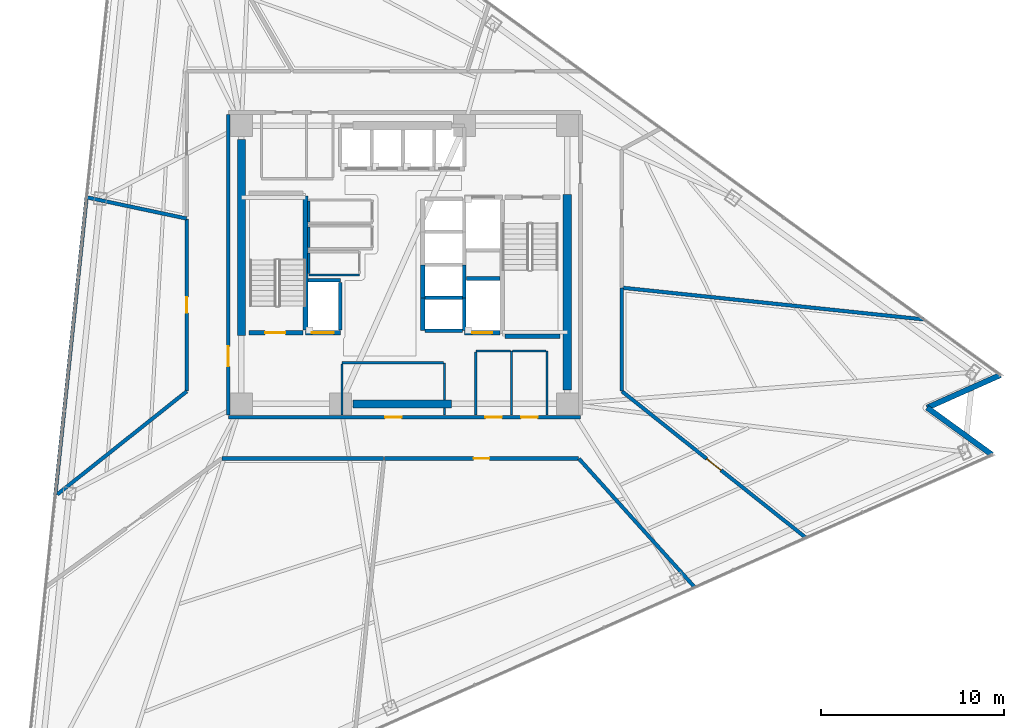
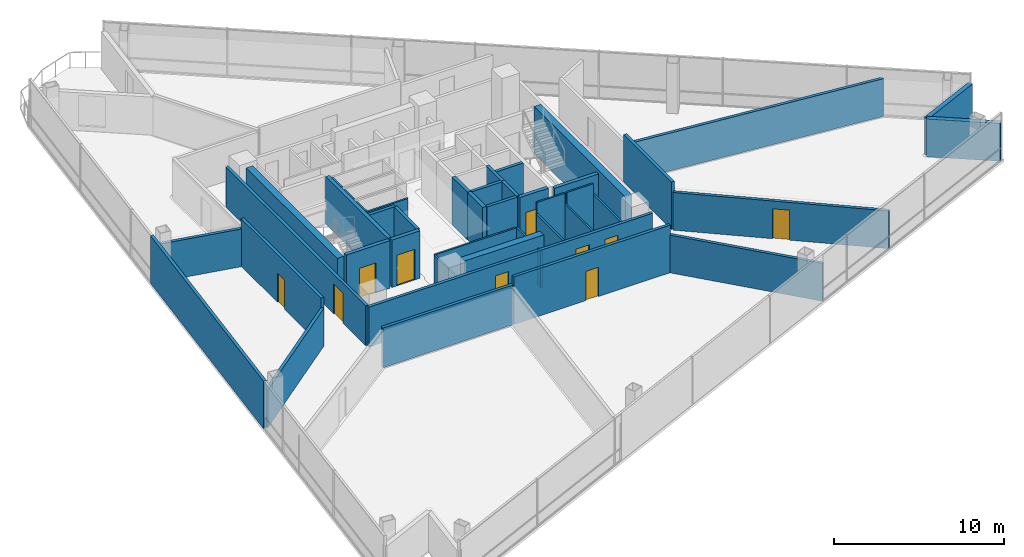
# One storey, part 11 of 19: 44 walls, 10 doors, 10 openings.
"""IFC4 building model written with IfcOpenShell, lengths in metres."""

from ifc_helpers import new_model, si_unit, direction, frame, frame_2d, origin, place, context, subcontext, project, spatial, rectangle, extrude, material, layer, layer_set, type_object, element, fill, save


model = new_model("IFC4")

# Units and contexts
model_context = context("Model", 3, precision=1e-05, world=origin(), true_north=direction((0.0, 1.0)))
body_context = subcontext(model_context, "Body", "Model", "MODEL_VIEW")
ifc_project = project(units=[si_unit("LENGTHUNIT", "METRE"), si_unit("AREAUNIT", "SQUARE_METRE"), si_unit("VOLUMEUNIT", "CUBIC_METRE"), si_unit("PLANEANGLEUNIT", "RADIAN"), si_unit("MASSUNIT", "GRAM", prefix="KILO")], contexts=[model_context])

# Site, building, storey
site_placement = place(None, origin())
site = spatial("IfcSite", under=ifc_project, at=site_placement, CompositionType="ELEMENT")
building_placement = place(site_placement, origin())
building = spatial("IfcBuilding", under=site, at=building_placement, Name="Tharavind Bronze Gate", CompositionType="ELEMENT")
storey_placement = place(building_placement, frame((0.0, 0.0, 116.050048828125)))
storey = spatial("IfcBuildingStorey", under=building, at=storey_placement, Name="L29", CompositionType="ELEMENT", Elevation=116.050048828125)

# Walls
ifc_material_1 = material(Name="Concrete C40/50", Category="concrete")
ifc_layer_1 = layer(ifc_material_1, 0.300048828125)
ifc_layer_set_1 = layer_set([ifc_layer_1], Name="Concrete C40/50")
wall_type_1 = type_object("IfcWallType", Name="EXTERIOR SPANDREL WALL 300", PredefinedType="STANDARD", material=ifc_layer_set_1)
for number, where, z_axis, x_axis, name in (
    (1, (32.099853515625, -10.3759765625, 0.0), (0.0, 0.0, 1.0), (-0.809018008275, 0.587783856777, 0.0), "L29 notch cheek wall 3A"),
    (2, (28.556396484375, -7.801513671875, 0.0), (0.0, 0.0, 1.0), (0.913542411385, 0.406743485013, 0.0), "L29 notch cheek wall 3B"),
):
    element("IfcWall", number, at=place(storey_placement, frame(where, z_axis=z_axis, x_axis=x_axis)), inside=storey, type_object=wall_type_1, Name=name, PredefinedType="STANDARD", context=body_context, shape_type="SweptSolid", body=[
        extrude(rectangle(XDim=4.3798828125, YDim=0.300048828125, at=frame_2d((2.18994140625, 0.0))), origin(), (0.0, 0.0, 1.0), 2.704833984375),
    ])

# Wall, openings, doors
ifc_material_2 = material(Name="Aerated Concrete Block", Category="concrete")
ifc_layer_2 = layer(ifc_material_2, 0.199951171875)
ifc_layer_set_2 = layer_set([ifc_layer_2], Name="Aerated Concrete Block")
wall_type_2 = type_object("IfcWallType", Name="FIRE RATED PARTITION 200", PredefinedType="PARTITIONING", material=ifc_layer_set_2)
wall_1_placement = place(storey_placement, frame((-9.6201171875, -8.320068359375, 0.0), z_axis=(0.0, 0.0, 1.0), x_axis=(1.0, 0.0, 0.0)))
wall_1 = element("IfcWall", 3, at=wall_1_placement, inside=storey, type_object=wall_type_2, Name="L29 south core corridor wall", PredefinedType="PARTITIONING", context=body_context, shape_type="SweptSolid", body=[
    extrude(rectangle(XDim=19.240234375, YDim=0.199951171875, at=frame_2d((9.6201171875, 0.0))), origin(), (0.0, 0.0, 1.0), 2.85498046875),
])
opening_1_placement = place(wall_1_placement, frame((8.570068359375, 0.0, 0.0)))
opening_1 = element("IfcOpeningElement", 4, at=opening_1_placement, cuts=wall_1, Name="Opening ID07", PredefinedType="OPENING", context=body_context, shape_type="SweptSolid", body=[
    extrude(rectangle(XDim=0.89990234375, YDim=2.10009765625, at=frame_2d((0.449951171875, 1.050048828125))), frame((0.0, 0.11009765625, 0.0), z_axis=(0.0, -1.0, 0.0), x_axis=(1.0, 0.0, 0.0)), (0.0, 0.0, 1.0), 0.219951171875),
])
opening_2_placement = place(wall_1_placement, frame((14.044921875, 0.0, 0.0)))
opening_2 = element("IfcOpeningElement", 5, at=opening_2_placement, cuts=wall_1, Name="Opening ID07", PredefinedType="OPENING", context=body_context, shape_type="SweptSolid", body=[
    extrude(rectangle(XDim=0.89990234375, YDim=2.10009765625, at=frame_2d((0.449951171875, 1.050048828125))), frame((0.0, 0.11009765625, 0.0), z_axis=(0.0, -1.0, 0.0), x_axis=(1.0, 0.0, 0.0)), (0.0, 0.0, 1.0), 0.219951171875),
])
opening_3_placement = place(wall_1_placement, frame((15.9951171875, 0.0, 0.0)))
opening_3 = element("IfcOpeningElement", 6, at=opening_3_placement, cuts=wall_1, Name="Opening ID07", PredefinedType="OPENING", context=body_context, shape_type="SweptSolid", body=[
    extrude(rectangle(XDim=0.89990234375, YDim=2.10009765625, at=frame_2d((0.449951171875, 1.050048828125))), frame((0.0, 0.11009765625, 0.0), z_axis=(0.0, -1.0, 0.0), x_axis=(1.0, 0.0, 0.0)), (0.0, 0.0, 1.0), 0.219951171875),
])
ifc_material_3 = material(Name="Galvanised Fire Steel", Category="steel")
door_type_1 = type_object("IfcDoorType", Name="PLANT AND RISER FIRE DOOR 900X2100", OperationType="SINGLE_SWING_LEFT", PredefinedType="DOOR", material=ifc_material_3)
door_1_placement = place(opening_1_placement, origin())
door_1 = element("IfcDoor", 7, at=door_1_placement, inside=storey, type_object=door_type_1, Name="L29 Core BMS Control Room fire door", OperationType="SINGLE_SWING_LEFT", OverallHeight=2.10009765625, OverallWidth=0.89990234375, PredefinedType="DOOR", context=body_context, shape_type="SweptSolid", body=[
    extrude(rectangle(XDim=0.89990234375, YDim=2.10009765625, at=frame_2d((0.449951171875, 1.050048828125))), frame((0.0, 0.02490234375, 0.0), z_axis=(0.0, -1.0, 0.0), x_axis=(1.0, 0.0, 0.0)), (0.0, 0.0, 1.0), 0.050048828125),
])
fill(opening_1, door_1)
door_2_placement = place(opening_2_placement, origin())
door_2 = element("IfcDoor", 8, at=door_2_placement, inside=storey, type_object=door_type_1, Name="L29 Comms Patch Room fire door", OperationType="SINGLE_SWING_LEFT", OverallHeight=2.10009765625, OverallWidth=0.89990234375, PredefinedType="DOOR", context=body_context, shape_type="SweptSolid", body=[
    extrude(rectangle(XDim=0.89990234375, YDim=2.10009765625, at=frame_2d((0.449951171875, 1.050048828125))), frame((0.0, 0.02490234375, 0.0), z_axis=(0.0, -1.0, 0.0), x_axis=(1.0, 0.0, 0.0)), (0.0, 0.0, 1.0), 0.050048828125),
])
fill(opening_2, door_2)
door_3_placement = place(opening_3_placement, origin())
door_3 = element("IfcDoor", 9, at=door_3_placement, inside=storey, type_object=door_type_1, Name="L29 Housekeeping Store fire door", OperationType="SINGLE_SWING_LEFT", OverallHeight=2.10009765625, OverallWidth=0.89990234375, PredefinedType="DOOR", context=body_context, shape_type="SweptSolid", body=[
    extrude(rectangle(XDim=0.89990234375, YDim=2.10009765625, at=frame_2d((0.449951171875, 1.050048828125))), frame((0.0, 0.02490234375, 0.0), z_axis=(0.0, -1.0, 0.0), x_axis=(1.0, 0.0, 0.0)), (0.0, 0.0, 1.0), 0.050048828125),
])
fill(opening_3, door_3)

# Wall, opening, door
wall_2_placement = place(storey_placement, frame((-9.6201171875, 8.199951171875, 0.0), z_axis=(0.0, 0.0, 1.0), x_axis=(0.0, -1.0, 0.0)))
wall_2 = element("IfcWall", 10, at=wall_2_placement, inside=storey, type_object=wall_type_2, Name="L29 west core corridor wall", PredefinedType="PARTITIONING", context=body_context, shape_type="SweptSolid", body=[
    extrude(rectangle(XDim=16.39990234375, YDim=0.199951171875, at=frame_2d((8.199951171875, 0.0))), origin(), (0.0, 0.0, 1.0), 2.85498046875),
])
opening_4_placement = place(wall_2_placement, frame((12.64990234375, 0.0, 0.0)))
opening_4 = element("IfcOpeningElement", 11, at=opening_4_placement, cuts=wall_2, Name="Opening ID01", PredefinedType="OPENING", context=body_context, shape_type="SweptSolid", body=[
    extrude(rectangle(XDim=1.10009765625, YDim=2.14990234375, at=frame_2d((0.550048828125, 1.074951171875))), frame((0.0, 0.11009765625, 0.0), z_axis=(0.0, -1.0, 0.0), x_axis=(1.0, 0.0, 0.0)), (0.0, 0.0, 1.0), 0.219951171875),
])
ifc_material_4 = material(Name="Fire-Rated Steel", Category="steel")
door_type_2 = type_object("IfcDoorType", Name="STAIR CORE FIRE DOOR 1100X2150", OperationType="SINGLE_SWING_LEFT", PredefinedType="DOOR", material=ifc_material_4)
door_4_placement = place(opening_4_placement, frame((1.10009765625, 0.0, 0.0), z_axis=(0.0, 0.0, 1.0), x_axis=(-1.0, 0.0, 0.0)))
door_4 = element("IfcDoor", 12, at=door_4_placement, inside=storey, type_object=door_type_2, Name="L29 south west stair lobby fire door", OperationType="SINGLE_SWING_LEFT", OverallHeight=2.14990234375, OverallWidth=1.10009765625, PredefinedType="DOOR", context=body_context, shape_type="SweptSolid", body=[
    extrude(rectangle(XDim=1.10009765625, YDim=2.14990234375, at=frame_2d((0.550048828125, 1.074951171875))), frame((0.0, 0.02490234375, 0.0), z_axis=(0.0, -1.0, 0.0), x_axis=(1.0, 0.0, 0.0)), (0.0, 0.0, 1.0), 0.050048828125),
])
fill(opening_4, door_4)

# Walls
wall_3_placement = place(storey_placement, frame((-19.066650390625, -12.56982421875, 0.0), z_axis=(0.0, 0.0, 1.0), x_axis=(0.104530607356, 0.994521670013, 0.0)))
element("IfcWall", 13, at=wall_3_placement, inside=storey, type_object=wall_type_2, Name="L29 Public Restrooms Block partition", PredefinedType="PARTITIONING", context=body_context, shape_type="SweptSolid", body=[
    extrude(rectangle(XDim=16.321044921875, YDim=0.199951171875, at=frame_2d((8.16064453125, 0.0))), origin(), (0.0, 0.0, 1.0), 3.409912109375),
])
wall_4_placement = place(storey_placement, frame((-17.33056640625, 3.68359375, 0.0), z_axis=(0.0, 0.0, 1.0), x_axis=(0.978148567961, -0.207907140322, 0.0)))
element("IfcWall", 14, at=wall_4_placement, inside=storey, type_object=wall_type_2, Name="L29 Public Restrooms Block partition", PredefinedType="PARTITIONING", context=body_context, shape_type="SweptSolid", body=[
    extrude(rectangle(XDim=5.552001953125, YDim=0.199951171875, at=frame_2d((2.77587890625, 0.0))), origin(), (0.0, 0.0, 1.0), 2.704833984375),
])

# Wall, opening, door
wall_5_placement = place(storey_placement, frame((-11.8798828125, 2.5048828125, 0.0), z_axis=(0.0, 0.0, 1.0), x_axis=(0.0, -1.0, 0.0)))
wall_5 = element("IfcWall", 15, at=wall_5_placement, inside=storey, type_object=wall_type_2, Name="L29 Public Restrooms Block partition", PredefinedType="PARTITIONING", context=body_context, shape_type="SweptSolid", body=[
    extrude(rectangle(XDim=9.396240234375, YDim=0.199951171875, at=frame_2d((4.6982421875, 0.0))), origin(), (0.0, 0.0, 1.0), 3.409912109375),
])
opening_5_placement = place(wall_5_placement, frame((4.27294921875, 0.0, 0.0)))
opening_5 = element("IfcOpeningElement", 16, at=opening_5_placement, cuts=wall_5, Name="Opening ID06", PredefinedType="OPENING", context=body_context, shape_type="SweptSolid", body=[
    extrude(rectangle(XDim=0.85009765625, YDim=2.10009765625, at=frame_2d((0.425048828125, 1.050048828125))), frame((0.0, 0.11009765625, 0.0), z_axis=(0.0, -1.0, 0.0), x_axis=(1.0, 0.0, 0.0)), (0.0, 0.0, 1.0), 0.219951171875),
])
ifc_material_5 = material(Name="Moisture-Resistant Timber", Category="wood")
door_type_3 = type_object("IfcDoorType", Name="BATHROOM PRIVACY DOOR 850X2100", OperationType="SINGLE_SWING_RIGHT", PredefinedType="DOOR", material=ifc_material_5)
door_5_placement = place(opening_5_placement, origin())
door_5 = element("IfcDoor", 17, at=door_5_placement, inside=storey, type_object=door_type_3, Name="L29 Public Restrooms Block door", OperationType="SINGLE_SWING_RIGHT", OverallHeight=2.10009765625, OverallWidth=0.85009765625, PredefinedType="DOOR", context=body_context, shape_type="SweptSolid", body=[
    extrude(rectangle(XDim=0.85009765625, YDim=2.10009765625, at=frame_2d((0.425048828125, 1.050048828125))), frame((0.0, 0.02490234375, 0.0), z_axis=(0.0, -1.0, 0.0), x_axis=(1.0, 0.0, 0.0)), (0.0, 0.0, 1.0), 0.050048828125),
])
fill(opening_5, door_5)

# Wall
wall_6_placement = place(storey_placement, frame((-11.889404296875, -6.910888671875, 0.0), z_axis=(0.0, 0.0, 1.0), x_axis=(-0.782379877643, -0.622801514979, 0.0)))
element("IfcWall", 18, at=wall_6_placement, inside=storey, type_object=wall_type_2, Name="L29 Public Restrooms Block partition", PredefinedType="PARTITIONING", context=body_context, shape_type="SweptSolid", body=[
    extrude(rectangle(XDim=9.0341796875, YDim=0.199951171875, at=frame_2d((4.51708984375, 0.0))), origin(), (0.0, 0.0, 1.0), 2.704833984375),
])

# Wall, opening, door
wall_7_placement = place(storey_placement, frame((-1.089599609375, -10.580078125, 0.0), z_axis=(0.0, 0.0, 1.0), x_axis=(1.0, 0.0, 0.0)))
wall_7 = element("IfcWall", 19, at=wall_7_placement, inside=storey, type_object=wall_type_2, Name="L29 Public Restrooms Block partition", PredefinedType="PARTITIONING", context=body_context, shape_type="SweptSolid", body=[
    extrude(rectangle(XDim=10.604736328125, YDim=0.199951171875, at=frame_2d((5.30224609375, 0.0))), origin(), (0.0, 0.0, 1.0), 3.409912109375),
])
opening_6_placement = place(wall_7_placement, frame((4.876953125, 0.0, 0.0)))
opening_6 = element("IfcOpeningElement", 20, at=opening_6_placement, cuts=wall_7, Name="Opening ID06", PredefinedType="OPENING", context=body_context, shape_type="SweptSolid", body=[
    extrude(rectangle(XDim=0.85009765625, YDim=2.10009765625, at=frame_2d((0.425048828125, 1.050048828125))), frame((0.0, 0.11009765625, 0.0), z_axis=(0.0, -1.0, 0.0), x_axis=(1.0, 0.0, 0.0)), (0.0, 0.0, 1.0), 0.219951171875),
])
door_6_placement = place(opening_6_placement, origin())
door_6 = element("IfcDoor", 21, at=door_6_placement, inside=storey, type_object=door_type_3, Name="L29 Public Restrooms Block door", OperationType="SINGLE_SWING_RIGHT", OverallHeight=2.10009765625, OverallWidth=0.85009765625, PredefinedType="DOOR", context=body_context, shape_type="SweptSolid", body=[
    extrude(rectangle(XDim=0.85009765625, YDim=2.10009765625, at=frame_2d((0.425048828125, 1.050048828125))), frame((0.0, 0.02490234375, 0.0), z_axis=(0.0, -1.0, 0.0), x_axis=(1.0, 0.0, 0.0)), (0.0, 0.0, 1.0), 0.050048828125),
])
fill(opening_6, door_6)

# Walls
wall_8_placement = place(storey_placement, frame((9.53369140625, -10.58837890625, 0.0), z_axis=(0.0, 0.0, 1.0), x_axis=(0.669143190424, -0.743133494541, 0.0)))
element("IfcWall", 22, at=wall_8_placement, inside=storey, type_object=wall_type_2, Name="L29 Public Restrooms Block partition", PredefinedType="PARTITIONING", context=body_context, shape_type="SweptSolid", body=[
    extrude(rectangle(XDim=9.44677734375, YDim=0.199951171875, at=frame_2d((4.723388671875, 0.0))), origin(), (0.0, 0.0, 1.0), 2.704833984375),
])
wall_9_placement = place(storey_placement, frame((-9.969970703125, -10.580078125, 0.0), z_axis=(0.0, 0.0, 1.0), x_axis=(1.0, 0.0, 0.0)))
element("IfcWall", 23, at=wall_9_placement, inside=storey, type_object=wall_type_2, Name="L29 Operations Open Office partition", PredefinedType="PARTITIONING", context=body_context, shape_type="SweptSolid", body=[
    extrude(rectangle(XDim=8.830078125, YDim=0.199951171875, at=frame_2d((4.4150390625, 0.0))), origin(), (0.0, 0.0, 1.0), 2.85498046875),
])

# Wall, opening, door
wall_10_placement = place(storey_placement, frame((21.930419921875, -14.90380859375, 0.0), z_axis=(0.0, 0.0, 1.0), x_axis=(-0.782382790893, 0.622797855258, 0.0)))
wall_10 = element("IfcWall", 24, at=wall_10_placement, inside=storey, type_object=wall_type_2, Name="L29 Client Advisory Office partition", PredefinedType="PARTITIONING", context=body_context, shape_type="SweptSolid", body=[
    extrude(rectangle(XDim=12.833984375, YDim=0.199951171875, at=frame_2d((6.4169921875, 0.0))), origin(), (0.0, 0.0, 1.0), 2.704833984375),
])
opening_7_placement = place(wall_10_placement, frame((5.9169921875, 0.0, 0.0)))
opening_7 = element("IfcOpeningElement", 25, at=opening_7_placement, cuts=wall_10, Name="Opening ID04", PredefinedType="OPENING", context=body_context, shape_type="SweptSolid", body=[
    extrude(rectangle(XDim=1.0, YDim=2.14990234375, at=frame_2d((0.5, 1.074951171875))), frame((0.0, 0.11009765625, 0.0), z_axis=(0.0, -1.0, 0.0), x_axis=(1.0, 0.0, 0.0)), (0.0, 0.0, 1.0), 0.219951171875),
])
ifc_material_6 = material(Name="Bronze Framed Acoustic Timber", Category="wood")
door_type_4 = type_object("IfcDoorType", Name="OFFICE TENANCY DOOR 1000X2150", OperationType="SINGLE_SWING_RIGHT", PredefinedType="DOOR", material=ifc_material_6)
door_7_placement = place(opening_7_placement, origin())
door_7 = element("IfcDoor", 26, at=door_7_placement, inside=storey, type_object=door_type_4, Name="L29 Client Advisory Office door", OperationType="SINGLE_SWING_RIGHT", OverallHeight=2.14990234375, OverallWidth=1.0, PredefinedType="DOOR", context=body_context, shape_type="SweptSolid", body=[
    extrude(rectangle(XDim=1.0, YDim=2.14990234375, at=frame_2d((0.5, 1.074951171875))), frame((0.0, 0.02490234375, 0.0), z_axis=(0.0, -1.0, 0.0), x_axis=(1.0, 0.0, 0.0)), (0.0, 0.0, 1.0), 0.050048828125),
])
fill(opening_7, door_7)

# Walls
wall_11_placement = place(storey_placement, frame((11.8798828125, -6.891357421875, 0.0), z_axis=(0.0, 0.0, 1.0), x_axis=(0.0, 1.0, 0.0)))
element("IfcWall", 27, at=wall_11_placement, inside=storey, type_object=wall_type_2, Name="L29 Client Advisory Office partition", PredefinedType="PARTITIONING", context=body_context, shape_type="SweptSolid", body=[
    extrude(rectangle(XDim=5.614990234375, YDim=0.199951171875, at=frame_2d((2.8076171875, 0.0))), origin(), (0.0, 0.0, 1.0), 3.409912109375),
])
wall_12_placement = place(storey_placement, frame((11.90771484375, -1.25146484375, 0.0), z_axis=(0.0, 0.0, 1.0), x_axis=(0.994520958229, -0.104537379166, 0.0)))
element("IfcWall", 28, at=wall_12_placement, inside=storey, type_object=wall_type_2, Name="L29 Client Advisory Office partition", PredefinedType="PARTITIONING", context=body_context, shape_type="SweptSolid", body=[
    extrude(rectangle(XDim=16.553466796875, YDim=0.199951171875, at=frame_2d((8.27685546875, 0.0))), origin(), (0.0, 0.0, 1.0), 2.704833984375),
])
ifc_material_7 = material(Name="Metal Stud Gypsum Partition", Category="gypsum")
ifc_layer_3 = layer(ifc_material_7, 0.1201171875)
ifc_layer_set_3 = layer_set([ifc_layer_3], Name="Metal Stud Gypsum Partition")
wall_type_3 = type_object("IfcWallType", Name="INTERIOR PARTITION WALL 120", PredefinedType="PARTITIONING", material=ifc_layer_set_3)
wall_13_placement = place(storey_placement, frame((-5.219970703125, 3.485107421875, 0.0), z_axis=(0.0, 0.0, 1.0), x_axis=(0.0, -1.0, 0.0)))
element("IfcWall", 29, at=wall_13_placement, inside=storey, type_object=wall_type_3, Name="L29 Housekeeping Linen Store partition 4", PredefinedType="PARTITIONING", context=body_context, shape_type="SweptSolid", body=[
    extrude(rectangle(XDim=1.14013671875, YDim=0.1201171875, at=frame_2d((0.570068359375, 0.0))), origin(), (0.0, 0.0, 1.0), 3.409912109375),
])
wall_14_placement = place(storey_placement, frame((-5.219970703125, 2.054931640625, 0.0), z_axis=(0.0, 0.0, 1.0), x_axis=(0.0, -1.0, 0.0)))
element("IfcWall", 30, at=wall_14_placement, inside=storey, type_object=wall_type_3, Name="L29 Comms Data Room partition 4", PredefinedType="PARTITIONING", context=body_context, shape_type="SweptSolid", body=[
    extrude(rectangle(XDim=1.10986328125, YDim=0.1201171875, at=frame_2d((0.554931640625, 0.0))), origin(), (0.0, 0.0, 1.0), 3.409912109375),
])
wall_15_placement = place(storey_placement, frame((-5.219970703125, -0.550048828125, 0.0), z_axis=(0.0, 0.0, 1.0), x_axis=(1.0, 0.0, 0.0)))
element("IfcWall", 31, at=wall_15_placement, inside=storey, type_object=wall_type_3, Name="L29 Electrical Metering Store partition 1", PredefinedType="PARTITIONING", context=body_context, shape_type="SweptSolid", body=[
    extrude(rectangle(XDim=2.77001953125, YDim=0.1201171875, at=frame_2d((1.385009765625, 0.0))), origin(), (0.0, 0.0, 1.0), 3.409912109375),
])
wall_16_placement = place(storey_placement, frame((-5.219970703125, 0.655029296875, 0.0), z_axis=(0.0, 0.0, 1.0), x_axis=(0.0, -1.0, 0.0)))
element("IfcWall", 32, at=wall_16_placement, inside=storey, type_object=wall_type_3, Name="L29 Electrical Metering Store partition 4", PredefinedType="PARTITIONING", context=body_context, shape_type="SweptSolid", body=[
    extrude(rectangle(XDim=1.14013671875, YDim=0.1201171875, at=frame_2d((0.570068359375, 0.0))), origin(), (0.0, 0.0, 1.0), 3.409912109375),
])
wall_17_placement = place(storey_placement, frame((2.199951171875, -8.215087890625, 0.0), z_axis=(0.0, 0.0, 1.0), x_axis=(0.0, 1.0, 0.0)))
element("IfcWall", 33, at=wall_17_placement, inside=storey, type_object=wall_type_3, Name="L29 Core BMS Control Room partition 2", PredefinedType="PARTITIONING", context=body_context, shape_type="SweptSolid", body=[
    extrude(rectangle(XDim=0.385009765625, YDim=0.1201171875, at=frame_2d((0.1923828125, 0.0))), origin(), (0.0, 0.0, 1.0), 2.60498046875),
])
wall_18_placement = place(storey_placement, frame((2.199951171875, -7.3701171875, 0.0), z_axis=(0.0, 0.0, 1.0), x_axis=(0.0, 1.0, 0.0)))
element("IfcWall", 34, at=wall_18_placement, inside=storey, type_object=wall_type_3, Name="L29 Core BMS Control Room partition 2", PredefinedType="PARTITIONING", context=body_context, shape_type="SweptSolid", body=[
    extrude(rectangle(XDim=2.02001953125, YDim=0.1201171875, at=frame_2d((1.010009765625, 0.0))), origin(), (0.0, 0.0, 1.0), 2.60498046875),
])
wall_19_placement = place(storey_placement, frame((2.135009765625, -5.35009765625, 0.0), z_axis=(0.0, 0.0, 1.0), x_axis=(-1.0, 0.0, 0.0)))
element("IfcWall", 35, at=wall_19_placement, inside=storey, type_object=wall_type_3, Name="L29 Core BMS Control Room partition 3", PredefinedType="PARTITIONING", context=body_context, shape_type="SweptSolid", body=[
    extrude(rectangle(XDim=5.534912109375, YDim=0.1201171875, at=frame_2d((2.767578125, 0.0))), origin(), (0.0, 0.0, 1.0), 2.60498046875),
])
wall_20_placement = place(storey_placement, frame((-3.39990234375, -5.4150390625, 0.0), z_axis=(0.0, 0.0, 1.0), x_axis=(0.0, -1.0, 0.0)))
element("IfcWall", 36, at=wall_20_placement, inside=storey, type_object=wall_type_3, Name="L29 Core BMS Control Room partition 4", PredefinedType="PARTITIONING", context=body_context, shape_type="SweptSolid", body=[
    extrude(rectangle(XDim=2.800048828125, YDim=0.1201171875, at=frame_2d((1.39990234375, 0.0))), origin(), (0.0, 0.0, 1.0), 2.60498046875),
])
wall_21_placement = place(storey_placement, frame((5.85009765625, -8.215087890625, 0.0), z_axis=(0.0, 0.0, 1.0), x_axis=(0.0, 1.0, 0.0)))
element("IfcWall", 37, at=wall_21_placement, inside=storey, type_object=wall_type_3, Name="L29 Comms Patch Room partition 2", PredefinedType="PARTITIONING", context=body_context, shape_type="SweptSolid", body=[
    extrude(rectangle(XDim=3.51513671875, YDim=0.1201171875, at=frame_2d((1.757568359375, 0.0))), origin(), (0.0, 0.0, 1.0), 2.60498046875),
])
wall_22_placement = place(storey_placement, frame((5.784912109375, -4.699951171875, 0.0), z_axis=(0.0, 0.0, 1.0), x_axis=(-1.0, 0.0, 0.0)))
element("IfcWall", 38, at=wall_22_placement, inside=storey, type_object=wall_type_3, Name="L29 Comms Patch Room partition 3", PredefinedType="PARTITIONING", context=body_context, shape_type="SweptSolid", body=[
    extrude(rectangle(XDim=1.885009765625, YDim=0.1201171875, at=frame_2d((0.9423828125, 0.0))), origin(), (0.0, 0.0, 1.0), 3.409912109375),
])
wall_23_placement = place(storey_placement, frame((3.89990234375, -4.764892578125, 0.0), z_axis=(0.0, 0.0, 1.0), x_axis=(0.0, -1.0, 0.0)))
element("IfcWall", 39, at=wall_23_placement, inside=storey, type_object=wall_type_3, Name="L29 Comms Patch Room partition 4", PredefinedType="PARTITIONING", context=body_context, shape_type="SweptSolid", body=[
    extrude(rectangle(XDim=3.4501953125, YDim=0.1201171875, at=frame_2d((1.72509765625, 0.0))), origin(), (0.0, 0.0, 1.0), 2.60498046875),
])
wall_24_placement = place(storey_placement, frame((7.800048828125, -8.215087890625, 0.0), z_axis=(0.0, 0.0, 1.0), x_axis=(0.0, 1.0, 0.0)))
element("IfcWall", 40, at=wall_24_placement, inside=storey, type_object=wall_type_3, Name="L29 Housekeeping Store partition 2", PredefinedType="PARTITIONING", context=body_context, shape_type="SweptSolid", body=[
    extrude(rectangle(XDim=3.51513671875, YDim=0.1201171875, at=frame_2d((1.757568359375, 0.0))), origin(), (0.0, 0.0, 1.0), 2.60498046875),
])
wall_25_placement = place(storey_placement, frame((7.735107421875, -4.699951171875, 0.0), z_axis=(0.0, 0.0, 1.0), x_axis=(-1.0, 0.0, 0.0)))
element("IfcWall", 41, at=wall_25_placement, inside=storey, type_object=wall_type_3, Name="L29 Housekeeping Store partition 3", PredefinedType="PARTITIONING", context=body_context, shape_type="SweptSolid", body=[
    extrude(rectangle(XDim=1.820068359375, YDim=0.1201171875, at=frame_2d((0.91015625, 0.0))), origin(), (0.0, 0.0, 1.0), 3.409912109375),
])
ifc_material_8 = material(Name="Concrete C50/60", Category="concrete")
ifc_layer_4 = layer(ifc_material_8, 0.25)
ifc_layer_set_4 = layer_set([ifc_layer_4], Name="Concrete C50/60")
wall_type_4 = type_object("IfcWallType", Name="RC CORE SHEAR WALL 250", PredefinedType="SHEAR", material=ifc_layer_set_4)
wall_26_placement = place(storey_placement, frame((-5.39990234375, -3.550048828125, 0.0), z_axis=(0.0, 0.0, 1.0), x_axis=(0.0, 1.0, 0.0)))
element("IfcWall", 42, at=wall_26_placement, inside=storey, type_object=wall_type_4, Name="L29 ST1 shaft east wall", PredefinedType="SHEAR", context=body_context, shape_type="SweptSolid", body=[
    extrude(rectangle(XDim=7.300048828125, YDim=0.25, at=frame_2d((3.64990234375, 0.0))), origin(), (0.0, 0.0, 1.0), 3.409912109375),
])

# Wall, opening, door
wall_27_placement = place(storey_placement, frame((-8.5, -3.699951171875, 0.0), z_axis=(0.0, 0.0, 1.0), x_axis=(1.0, 0.0, 0.0)))
wall_27 = element("IfcWall", 43, at=wall_27_placement, inside=storey, type_object=wall_type_4, Name="L29 ST1 shaft south wall", PredefinedType="SHEAR", context=body_context, shape_type="SweptSolid", body=[
    extrude(rectangle(XDim=2.949951171875, YDim=0.25, at=frame_2d((1.47509765625, 0.0))), origin(), (0.0, 0.0, 1.0), 3.409912109375),
])
opening_8_placement = place(wall_27_placement, frame((0.89990234375, 0.0, 0.0)))
opening_8 = element("IfcOpeningElement", 44, at=opening_8_placement, cuts=wall_27, Name="Opening ID01", PredefinedType="OPENING", context=body_context, shape_type="SweptSolid", body=[
    extrude(rectangle(XDim=1.10009765625, YDim=2.14990234375, at=frame_2d((0.550048828125, 1.074951171875))), frame((0.0, 0.135, 0.0), z_axis=(0.0, -1.0, 0.0), x_axis=(1.0, 0.0, 0.0)), (0.0, 0.0, 1.0), 0.27),
])
door_8_placement = place(opening_8_placement, origin())
door_8 = element("IfcDoor", 45, at=door_8_placement, inside=storey, type_object=door_type_2, Name="L29 exit stair ST1 fire door", OperationType="SINGLE_SWING_LEFT", OverallHeight=2.14990234375, OverallWidth=1.10009765625, PredefinedType="DOOR", context=body_context, shape_type="SweptSolid", body=[
    extrude(rectangle(XDim=1.10009765625, YDim=2.14990234375, at=frame_2d((0.550048828125, 1.074951171875))), frame((0.0, 0.02490234375, 0.0), z_axis=(0.0, -1.0, 0.0), x_axis=(1.0, 0.0, 0.0)), (0.0, 0.0, 1.0), 0.050048828125),
])
fill(opening_8, door_8)

# Walls
wall_28_placement = place(storey_placement, frame((5.5, -3.89990234375, 0.0), z_axis=(0.0, 0.0, 1.0), x_axis=(1.0, 0.0, 0.0)))
element("IfcWall", 46, at=wall_28_placement, inside=storey, type_object=wall_type_4, Name="L29 ST2 shaft south wall", PredefinedType="SHEAR", context=body_context, shape_type="SweptSolid", body=[
    extrude(rectangle(XDim=3.0, YDim=0.25, at=frame_2d((1.5, 0.0))), origin(), (0.0, 0.0, 1.0), 3.409912109375),
])
for number, where, z_axis, x_axis, name in (
    (47, (1.0, -3.60009765625, 0.0), (0.0, 0.0, 1.0), (0.0, 1.0, 0.0), "L29 lift PL9 shaft front wall"),
    (48, (1.0, -1.800048828125, 0.0), (0.0, 0.0, 1.0), (0.0, 1.0, 0.0), "L29 lift PL10 shaft front wall"),
):
    element("IfcWall", number, at=place(storey_placement, frame(where, z_axis=z_axis, x_axis=x_axis)), inside=storey, type_object=wall_type_4, Name=name, PredefinedType="SHEAR", context=body_context, shape_type="SweptSolid", body=[
        extrude(rectangle(XDim=1.800048828125, YDim=0.25, at=frame_2d((0.89990234375, 0.0))), origin(), (0.0, 0.0, 1.0), 3.409912109375),
    ])

# Wall, opening, door
wall_29_placement = place(storey_placement, frame((-5.39990234375, -3.699951171875, 0.0), z_axis=(0.0, 0.0, 1.0), x_axis=(1.0, 0.0, 0.0)))
wall_29 = element("IfcWall", 49, at=wall_29_placement, inside=storey, type_object=wall_type_4, Name="L29 lift FFL1 shaft front wall", PredefinedType="SHEAR", context=body_context, shape_type="SweptSolid", body=[
    extrude(rectangle(XDim=1.89990234375, YDim=0.25, at=frame_2d((0.949951171875, 0.0))), origin(), (0.0, 0.0, 1.0), 3.409912109375),
])
opening_9_placement = place(wall_29_placement, frame((0.35009765625, 0.0, 0.0)))
opening_9 = element("IfcOpeningElement", 50, at=opening_9_placement, cuts=wall_29, Name="Opening LD02", PredefinedType="OPENING", context=body_context, shape_type="SweptSolid", body=[
    extrude(rectangle(XDim=1.199951171875, YDim=2.199951171875, at=frame_2d((0.60009765625, 1.10009765625))), frame((0.0, 0.135, 0.0), z_axis=(0.0, -1.0, 0.0), x_axis=(1.0, 0.0, 0.0)), (0.0, 0.0, 1.0), 0.27),
])
ifc_material_9 = material(Name="Brushed Stainless Steel", Category="steel")
door_type_5 = type_object("IfcDoorType", Name="FIREFIGHTING LIFT LANDING DOOR 1200X2200", OperationType="SLIDING_TO_RIGHT", PredefinedType="DOOR", material=ifc_material_9)
door_9_placement = place(opening_9_placement, origin())
door_9 = element("IfcDoor", 51, at=door_9_placement, inside=storey, type_object=door_type_5, Name="L29 lift FFL1 sliding landing door", OperationType="SLIDING_TO_RIGHT", OverallHeight=2.199951171875, OverallWidth=1.199951171875, PredefinedType="DOOR", context=body_context, shape_type="SweptSolid", body=[
    extrude(rectangle(XDim=1.199951171875, YDim=2.199951171875, at=frame_2d((0.60009765625, 1.10009765625))), frame((0.0, 0.02490234375, 0.0), z_axis=(0.0, -1.0, 0.0), x_axis=(1.0, 0.0, 0.0)), (0.0, 0.0, 1.0), 0.050048828125),
])
fill(opening_9, door_9)

wall_30_placement = place(storey_placement, frame((3.280029296875, -3.699951171875, 0.0), z_axis=(0.0, 0.0, 1.0), x_axis=(1.0, 0.0, 0.0)))
wall_30 = element("IfcWall", 52, at=wall_30_placement, inside=storey, type_object=wall_type_4, Name="L29 lift SVL1 shaft front wall", PredefinedType="SHEAR", context=body_context, shape_type="SweptSolid", body=[
    extrude(rectangle(XDim=1.93994140625, YDim=0.25, at=frame_2d((0.969970703125, 0.0))), origin(), (0.0, 0.0, 1.0), 3.409912109375),
])
opening_10_placement = place(wall_30_placement, frame((0.419921875, 0.0, 0.0)))
opening_10 = element("IfcOpeningElement", 53, at=opening_10_placement, cuts=wall_30, Name="Opening LD01", PredefinedType="OPENING", context=body_context, shape_type="SweptSolid", body=[
    extrude(rectangle(XDim=1.10009765625, YDim=2.199951171875, at=frame_2d((0.550048828125, 1.10009765625))), frame((0.0, 0.135, 0.0), z_axis=(0.0, -1.0, 0.0), x_axis=(1.0, 0.0, 0.0)), (0.0, 0.0, 1.0), 0.27),
])
ifc_material_10 = material(Name="Brushed Bronze Stainless Steel", Category="steel")
door_type_6 = type_object("IfcDoorType", Name="LIFT LANDING SLIDING DOOR 1100X2200", OperationType="SLIDING_TO_LEFT", PredefinedType="DOOR", material=ifc_material_10)
door_10_placement = place(opening_10_placement, origin())
door_10 = element("IfcDoor", 54, at=door_10_placement, inside=storey, type_object=door_type_6, Name="L29 lift SVL1 sliding landing door", OperationType="SLIDING_TO_LEFT", OverallHeight=2.199951171875, OverallWidth=1.10009765625, PredefinedType="DOOR", context=body_context, shape_type="SweptSolid", body=[
    extrude(rectangle(XDim=1.10009765625, YDim=2.199951171875, at=frame_2d((0.550048828125, 1.10009765625))), frame((0.0, 0.02490234375, 0.0), z_axis=(0.0, -1.0, 0.0), x_axis=(1.0, 0.0, 0.0)), (0.0, 0.0, 1.0), 0.050048828125),
])
fill(opening_10, door_10)

# Walls
ifc_material_11 = material(Name="Concrete C60/75", Category="concrete")
ifc_layer_5 = layer(ifc_material_11, 0.449951171875)
ifc_layer_set_5 = layer_set([ifc_layer_5], Name="Concrete C60/75")
wall_type_5 = type_object("IfcWallType", Name="RC CORE SHEAR WALL 450", PredefinedType="SHEAR", material=ifc_layer_set_5)
wall_31_placement = place(storey_placement, frame((-2.800048828125, -7.60009765625, 0.0), z_axis=(0.0, 0.0, 1.0), x_axis=(1.0, 0.0, 0.0)))
element("IfcWall", 55, at=wall_31_placement, inside=storey, type_object=wall_type_5, Name="L29 south core shear wall", PredefinedType="SHEAR", context=body_context, shape_type="SweptSolid", body=[
    extrude(rectangle(XDim=5.380126953125, YDim=0.449951171875, at=frame_2d((2.68994140625, 0.0))), origin(), (0.0, 0.0, 1.0), 3.409912109375),
])
for number, where, z_axis, x_axis, name in (
    (56, (-8.89990234375, -3.85009765625, 0.0), (0.0, 0.0, 1.0), (0.0, 1.0, 0.0), "L29 west core shear wall"),
    (57, (8.89990234375, -6.85009765625, 0.0), (0.0, 0.0, 1.0), (0.0, 1.0, 0.0), "L29 east core shear wall"),
):
    element("IfcWall", number, at=place(storey_placement, frame(where, z_axis=z_axis, x_axis=x_axis)), inside=storey, type_object=wall_type_5, Name=name, PredefinedType="SHEAR", context=body_context, shape_type="SweptSolid", body=[
        extrude(rectangle(XDim=10.7001953125, YDim=0.449951171875, at=frame_2d((5.35009765625, 0.0))), origin(), (0.0, 0.0, 1.0), 3.409912109375),
    ])
ifc_layer_6 = layer(ifc_material_1, 0.199951171875)
ifc_layer_set_6 = layer_set([ifc_layer_6], Name="Concrete C40/50")
wall_type_6 = type_object("IfcWallType", Name="SHAFT ENCLOSURE WALL 200", PredefinedType="PARTITIONING", material=ifc_layer_set_6)
wall_32_placement = place(storey_placement, frame((3.280029296875, -3.60009765625, 0.0), z_axis=(0.0, 0.0, 1.0), x_axis=(0.0, 1.0, 0.0)))
element("IfcWall", 58, at=wall_32_placement, inside=storey, type_object=wall_type_6, Name="L29 lift PL9 shaft E enclosure wall", PredefinedType="PARTITIONING", context=body_context, shape_type="SweptSolid", body=[
    extrude(rectangle(XDim=1.800048828125, YDim=0.199951171875, at=frame_2d((0.89990234375, 0.0))), origin(), (0.0, 0.0, 1.0), 3.409912109375),
])
for number, where, z_axis, x_axis, name in (
    (59, (1.1298828125, -3.60009765625, 0.0), (0.0, 0.0, 1.0), (1.0, 0.0, 0.0), "L29 lift PL9 shaft S enclosure wall"),
    (60, (1.1298828125, -1.800048828125, 0.0), (0.0, 0.0, 1.0), (1.0, 0.0, 0.0), "L29 lift PL9 shaft N enclosure wall"),
):
    element("IfcWall", number, at=place(storey_placement, frame(where, z_axis=z_axis, x_axis=x_axis)), inside=storey, type_object=wall_type_6, Name=name, PredefinedType="PARTITIONING", context=body_context, shape_type="SweptSolid", body=[
        extrude(rectangle(XDim=2.045166015625, YDim=0.199951171875, at=frame_2d((1.0224609375, 0.0))), origin(), (0.0, 0.0, 1.0), 3.409912109375),
    ])
wall_33_placement = place(storey_placement, frame((3.280029296875, -1.800048828125, 0.0), z_axis=(0.0, 0.0, 1.0), x_axis=(0.0, 1.0, 0.0)))
element("IfcWall", 61, at=wall_33_placement, inside=storey, type_object=wall_type_6, Name="L29 lift PL10 shaft E enclosure wall", PredefinedType="PARTITIONING", context=body_context, shape_type="SweptSolid", body=[
    extrude(rectangle(XDim=1.800048828125, YDim=0.199951171875, at=frame_2d((0.89990234375, 0.0))), origin(), (0.0, 0.0, 1.0), 3.409912109375),
])
wall_34_placement = place(storey_placement, frame((-5.27001953125, -0.85009765625, 0.0), z_axis=(0.0, 0.0, 1.0), x_axis=(1.0, 0.0, 0.0)))
element("IfcWall", 62, at=wall_34_placement, inside=storey, type_object=wall_type_6, Name="L29 lift FFL1 shaft N enclosure wall", PredefinedType="PARTITIONING", context=body_context, shape_type="SweptSolid", body=[
    extrude(rectangle(XDim=1.77001953125, YDim=0.199951171875, at=frame_2d((0.885009765625, 0.0))), origin(), (0.0, 0.0, 1.0), 3.409912109375),
])
wall_35_placement = place(storey_placement, frame((-3.5, -3.570068359375, 0.0), z_axis=(0.0, 0.0, 1.0), x_axis=(0.0, 1.0, 0.0)))
element("IfcWall", 63, at=wall_35_placement, inside=storey, type_object=wall_type_6, Name="L29 lift FFL1 shaft E enclosure wall", PredefinedType="PARTITIONING", context=body_context, shape_type="SweptSolid", body=[
    extrude(rectangle(XDim=2.614990234375, YDim=0.199951171875, at=frame_2d((1.3076171875, 0.0))), origin(), (0.0, 0.0, 1.0), 3.409912109375),
])
wall_36_placement = place(storey_placement, frame((3.385009765625, -0.75, 0.0), z_axis=(0.0, 0.0, 1.0), x_axis=(1.0, 0.0, 0.0)))
element("IfcWall", 64, at=wall_36_placement, inside=storey, type_object=wall_type_6, Name="L29 lift SVL1 shaft N enclosure wall", PredefinedType="PARTITIONING", context=body_context, shape_type="SweptSolid", body=[
    extrude(rectangle(XDim=1.8349609375, YDim=0.199951171875, at=frame_2d((0.91748046875, 0.0))), origin(), (0.0, 0.0, 1.0), 3.409912109375),
])

save(model, "model.ifc")
